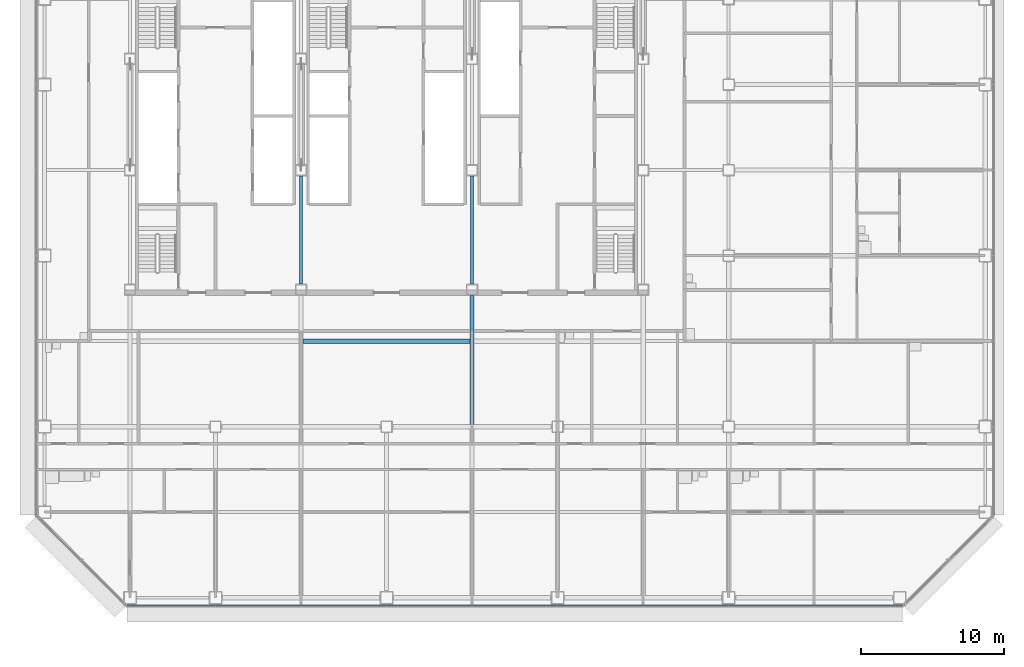
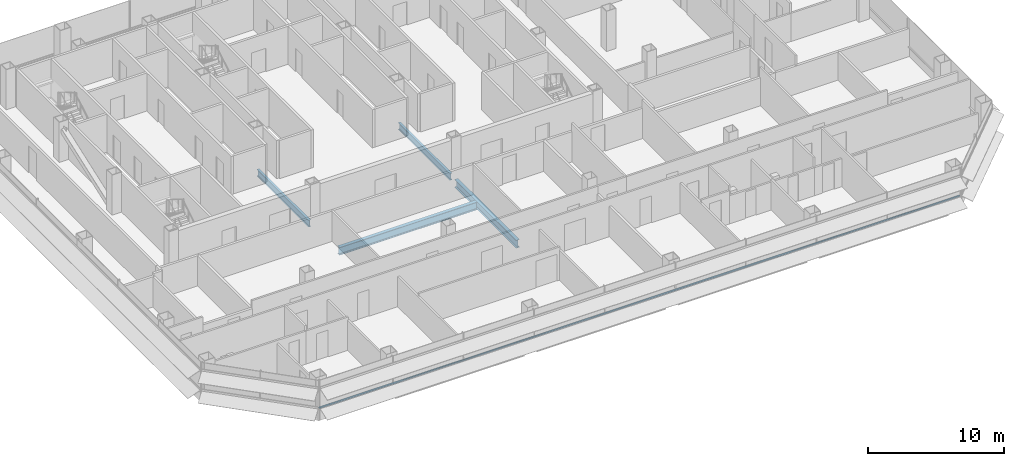
# One storey, part 7 of 27: 4 beams, 1 member, 1 element without a shape of its own.
"""IFC4 building model written with IfcOpenShell, lengths in metres."""

from ifc_helpers import new_model, si_unit, direction, frame, origin, origin_2d, place, context, subcontext, project, spatial, rectangle, i_section, extrude, material, material_profile, profile_set, type_object, element, aggregate, save


model = new_model("IFC4")

# Units and contexts
model_context = context("Model", 3, precision=1e-05, world=origin(), true_north=direction((0.0, 1.0)))
body_context = subcontext(model_context, "Body", "Model", "MODEL_VIEW")
ifc_project = project(units=[si_unit("LENGTHUNIT", "METRE"), si_unit("AREAUNIT", "SQUARE_METRE"), si_unit("VOLUMEUNIT", "CUBIC_METRE"), si_unit("PLANEANGLEUNIT", "RADIAN"), si_unit("MASSUNIT", "GRAM", prefix="KILO")], contexts=[model_context])

# Site, building, storey
site_placement = place(None, origin())
site = spatial("IfcSite", under=ifc_project, at=site_placement, CompositionType="ELEMENT")
building_placement = place(site_placement, origin())
building = spatial("IfcBuilding", under=site, at=building_placement, Name="Sorahane Residences", CompositionType="ELEMENT")
storey_placement = place(building_placement, frame((0.0, 0.0, 49.800048828125)))
storey = spatial("IfcBuildingStorey", under=building, at=storey_placement, Name="L08", CompositionType="ELEMENT", Elevation=49.800048828125)

# Curtain wall, member
ifc_material_1 = material(Name="Dark low-e glass and black anodised aluminium", Category="aluminium")
curtain_wall_type = type_object("IfcCurtainWallType", Name="Curtain wall CW-1 Typical unitised wall", PredefinedType="NOTDEFINED", material=ifc_material_1)
curtain_wall_placement = place(storey_placement, origin())
curtain_wall = element("IfcCurtainWall", 1, at=curtain_wall_placement, inside=storey, type_object=curtain_wall_type, Name="CW-1 curtain wall L08 S1", PredefinedType="NOTDEFINED")
ifc_material_2 = material(Name="Black anodised aluminium", Category="aluminium")
ifc_material_profile_1 = material_profile(ifc_material_2, rectangle(XDim=0.10009765625, YDim=0.06005859375, at=origin_2d()), Name="Curtain wall transom CW-1 black anodised aluminium 60x100")
ifc_profile_set_1 = profile_set([ifc_material_profile_1], Name="Black anodised aluminium")
member_type = type_object("IfcMemberType", Name="Curtain wall transom CW-1 black anodised aluminium 60x100", PredefinedType="USERDEFINED", material=ifc_profile_set_1)
member_placement = place(storey_placement, frame((5.801513671875, -0.530029296875, 0.89990234375), z_axis=(1.0, 0.0, 0.0), x_axis=(0.0, 1.0, 0.0)))
member = element("IfcMember", 2, at=member_placement, type_object=member_type, Name="CW-1 transom L08 S1", ObjectType="TRANSOM", PredefinedType="USERDEFINED", context=body_context, shape_type="SweptSolid", body=[
    extrude(rectangle(XDim=0.10009765625, YDim=0.06005859375, at=origin_2d()), origin(), (0.0, 0.0, 1.0), 54.39697265625),
])
aggregate(curtain_wall, [member])

# Beams
ifc_material_3 = material(Name="Steel Q355B", Category="steel")
ifc_material_profile_2 = material_profile(ifc_material_3, i_section(OverallWidth=0.199951171875, OverallDepth=0.60009765625, WebThickness=0.010986328125, FlangeThickness=0.01708984375, FilletRadius=0.02392578125, at=origin_2d()), Name="HN 600x200x11x17")
ifc_profile_set_2 = profile_set([ifc_material_profile_2], Name="Steel Q355B")
beam_type_1 = type_object("IfcBeamType", Name="Steel floor beam HN 600x200x11x17 Q355B", PredefinedType="BEAM", material=ifc_profile_set_2)
for number, where, z_axis, x_axis, name in (
    (3, (18.0, 22.0, -0.47998046875), (0.0, 1.0, 0.0), (-1.0, 0.0, 0.0), "Beam L08 031"),
    (4, (30.0, 22.0, -0.47998046875), (0.0, 1.0, 0.0), (-1.0, 0.0, 0.0), "Beam L08 039"),
):
    element("IfcBeam", number, at=place(storey_placement, frame(where, z_axis=z_axis, x_axis=x_axis)), inside=storey, type_object=beam_type_1, Name=name, PredefinedType="BEAM", context=body_context, shape_type="SweptSolid", body=[
        extrude(i_section(OverallWidth=0.199951171875, OverallDepth=0.60009765625, WebThickness=0.010986328125, FlangeThickness=0.01708984375, FilletRadius=0.02392578125, at=origin_2d()), origin(), (0.0, 0.0, 1.0), 7.60009765625),
    ])
ifc_material_4 = material(Name="Steel Q355B", Category="steel")
ifc_material_profile_3 = material_profile(ifc_material_4, i_section(OverallWidth=0.300048828125, OverallDepth=0.699951171875, WebThickness=0.012939453125, FlangeThickness=0.02392578125, FilletRadius=0.028076171875, at=origin_2d()), Name="HN 700x300x13x24")
ifc_profile_set_3 = profile_set([ifc_material_profile_3], Name="Steel Q355B")
beam_type_2 = type_object("IfcBeamType", Name="Steel floor beam HN 700x300x13x24 Q355B", PredefinedType="BEAM", material=ifc_profile_set_3)
beam_1_placement = place(storey_placement, frame((30.0, 12.14990234375, -0.530029296875), z_axis=(0.0, 1.0, 0.0), x_axis=(-1.0, 0.0, 0.0)))
element("IfcBeam", 5, at=beam_1_placement, inside=storey, type_object=beam_type_2, Name="Beam L08 038", PredefinedType="BEAM", context=body_context, shape_type="SweptSolid", body=[
    extrude(i_section(OverallWidth=0.300048828125, OverallDepth=0.699951171875, WebThickness=0.012939453125, FlangeThickness=0.02392578125, FilletRadius=0.028076171875, at=origin_2d()), origin(), (0.0, 0.0, 1.0), 9.050048828125),
])
beam_2_placement = place(storey_placement, frame((18.14990234375, 18.0, -0.530029296875), z_axis=(1.0, 0.0, 0.0), x_axis=(0.0, 1.0, 0.0)))
element("IfcBeam", 6, at=beam_2_placement, inside=storey, type_object=beam_type_2, Name="Beam L08 072", PredefinedType="BEAM", context=body_context, shape_type="SweptSolid", body=[
    extrude(i_section(OverallWidth=0.300048828125, OverallDepth=0.699951171875, WebThickness=0.012939453125, FlangeThickness=0.02392578125, FilletRadius=0.028076171875, at=origin_2d()), origin(), (0.0, 0.0, 1.0), 11.7001953125),
])

save(model, "model.ifc")
